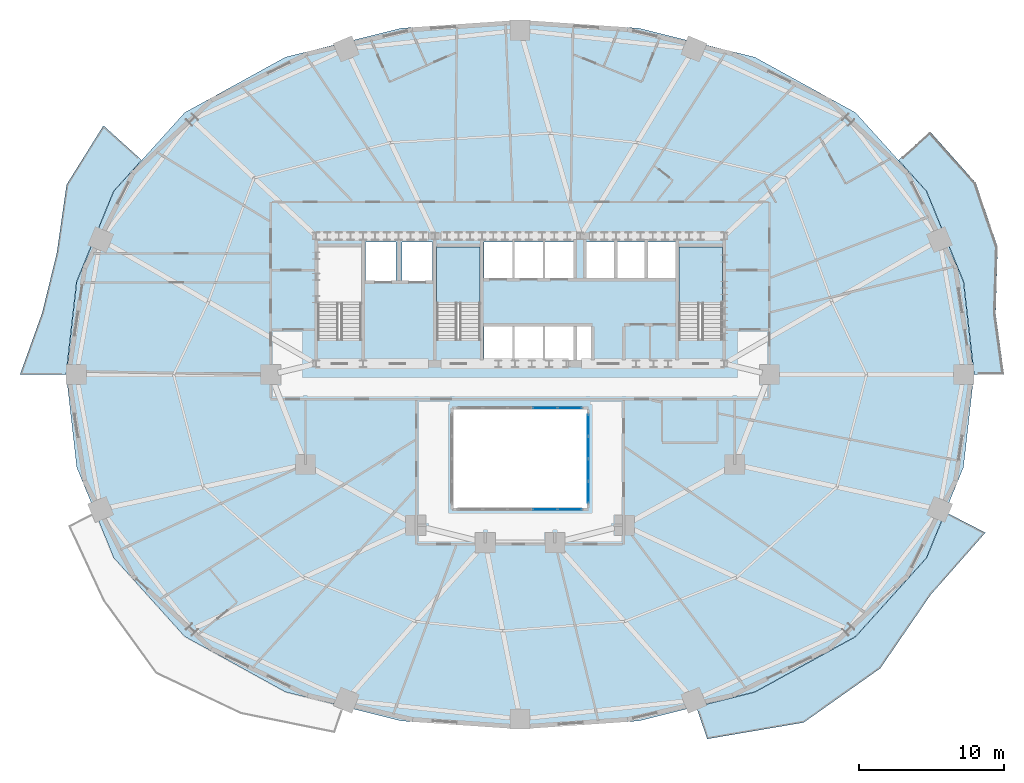
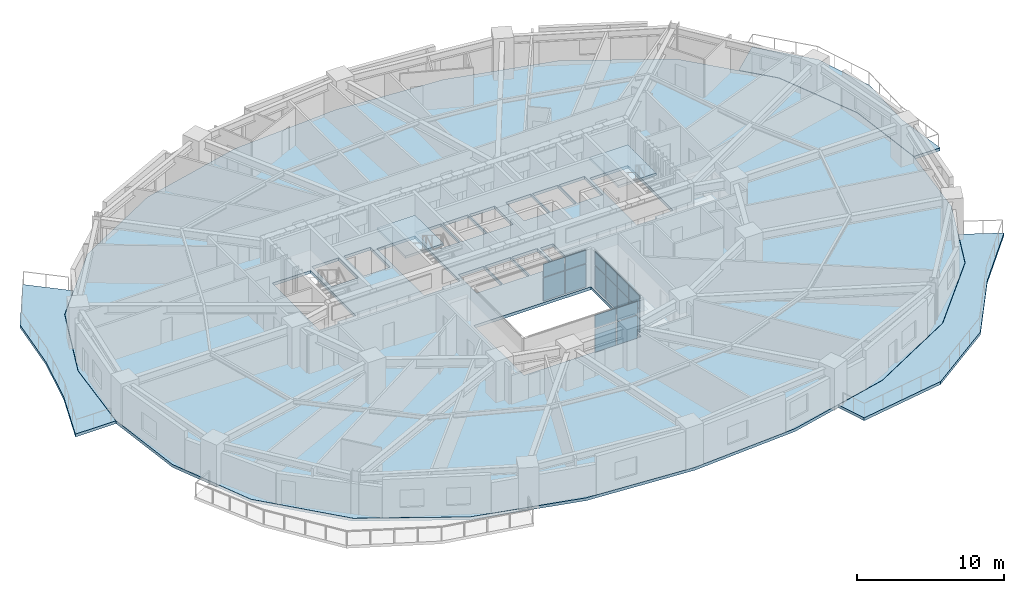
# One storey, part 7 of 16: 16 plates, 6 slabs, 5 elements without a shape of their own.
"""IFC4 building model written with IfcOpenShell, lengths in metres."""

from ifc_helpers import new_model, si_unit, direction, frame, origin, origin_2d, place, context, subcontext, project, spatial, polyline, rectangle, outline, extrude, material, layer, layer_set, type_object, element, aggregate, save


model = new_model("IFC4")

# Units and contexts
model_context = context("Model", 3, precision=1e-05, world=origin(), true_north=direction((0.0, 1.0)))
body_context = subcontext(model_context, "Body", "Model", "MODEL_VIEW")
ifc_project = project(units=[si_unit("LENGTHUNIT", "METRE"), si_unit("AREAUNIT", "SQUARE_METRE"), si_unit("VOLUMEUNIT", "CUBIC_METRE"), si_unit("PLANEANGLEUNIT", "RADIAN"), si_unit("MASSUNIT", "GRAM", prefix="KILO")], contexts=[model_context])

# Site, building, storey
site_placement = place(None, origin())
site = spatial("IfcSite", under=ifc_project, at=site_placement, CompositionType="ELEMENT")
building_placement = place(site_placement, origin())
building = spatial("IfcBuilding", under=site, at=building_placement, Name="Haldorwick Loom Tower", CompositionType="ELEMENT")
storey_placement = place(building_placement, frame((0.0, 0.0, 68.85009765625)))
storey = spatial("IfcBuildingStorey", under=building, at=storey_placement, Name="L18", CompositionType="ELEMENT", Elevation=68.85009765625)

# Curtain wall, plates
ifc_material_1 = material(Name="Thermally Broken Anodized Aluminium Curtain Wall Framing", Category="aluminium")
curtain_wall_type = type_object("IfcCurtainWallType", Name="ARC-CW-03", PredefinedType="NOTDEFINED", material=ifc_material_1)
curtain_wall_1_placement = place(storey_placement, origin())
curtain_wall_1 = element("IfcCurtainWall", 1, at=curtain_wall_1_placement, inside=storey, type_object=curtain_wall_type, Name="L18 Atrium Glazed Screen S", PredefinedType="NOTDEFINED")
ifc_material_2 = material(Name="Triple-Glazed Low-E Argon Insulated Glazing Unit", Category="glass")
ifc_layer_1 = layer(ifc_material_2, 0.04296875, Name="Triple-Glazed Low-E Argon Insulated Glazing Unit", Category="glass")
ifc_layer_set_1 = layer_set([ifc_layer_1], Name="Triple-Glazed Low-E Argon Insulated Glazing Unit")
plate_type = type_object("IfcPlateType", Name="ARC-CWP-03", PredefinedType="CURTAIN_PANEL", material=ifc_layer_set_1)
plate_1_placement = place(storey_placement, frame((39.423583984375, 16.699951171875, 0.06591796875), z_axis=(0.0, 0.0, 1.0), x_axis=(-1.0, 0.0, 0.0)))
plate_1 = element("IfcPlate", 2, at=plate_1_placement, type_object=plate_type, Name="CW-03 panel 1.1", PredefinedType="CURTAIN_PANEL", context=body_context, shape_type="SweptSolid", body=[
    extrude(rectangle(XDim=1.62109375, YDim=0.04296875, at=origin_2d()), origin(), (0.0, 0.0, 1.0), 1.90087890625),
])
plate_2_placement = place(storey_placement, frame((39.423583984375, 16.699951171875, 2.03271484375), z_axis=(0.0, 0.0, 1.0), x_axis=(-1.0, 0.0, 0.0)))
plate_2 = element("IfcPlate", 3, at=plate_2_placement, type_object=plate_type, Name="CW-03 panel 1.2", PredefinedType="CURTAIN_PANEL", context=body_context, shape_type="SweptSolid", body=[
    extrude(rectangle(XDim=1.62109375, YDim=0.04296875, at=origin_2d()), origin(), (0.0, 0.0, 1.0), 1.091064453125),
])
plate_3_placement = place(storey_placement, frame((37.719970703125, 16.699951171875, 0.06591796875), z_axis=(0.0, 0.0, 1.0), x_axis=(-1.0, 0.0, 0.0)))
plate_3 = element("IfcPlate", 4, at=plate_3_placement, type_object=plate_type, Name="CW-03 panel 2.1", PredefinedType="CURTAIN_PANEL", context=body_context, shape_type="SweptSolid", body=[
    extrude(rectangle(XDim=1.654052734375, YDim=0.04296875, at=origin_2d()), origin(), (0.0, 0.0, 1.0), 1.90087890625),
])
plate_4_placement = place(storey_placement, frame((37.719970703125, 16.699951171875, 2.03271484375), z_axis=(0.0, 0.0, 1.0), x_axis=(-1.0, 0.0, 0.0)))
plate_4 = element("IfcPlate", 5, at=plate_4_placement, type_object=plate_type, Name="CW-03 panel 2.2", PredefinedType="CURTAIN_PANEL", context=body_context, shape_type="SweptSolid", body=[
    extrude(rectangle(XDim=1.654052734375, YDim=0.04296875, at=origin_2d()), origin(), (0.0, 0.0, 1.0), 1.091064453125),
])
aggregate(curtain_wall_1, [plate_1, plate_2, plate_3, plate_4])

curtain_wall_2_placement = place(storey_placement, origin())
curtain_wall_2 = element("IfcCurtainWall", 6, at=curtain_wall_2_placement, inside=storey, type_object=curtain_wall_type, Name="L18 Atrium Glazed Screen N", PredefinedType="NOTDEFINED")
plate_5_placement = place(storey_placement, frame((37.719970703125, 23.699951171875, 0.06591796875), z_axis=(0.0, 0.0, 1.0), x_axis=(1.0, 0.0, 0.0)))
plate_5 = element("IfcPlate", 7, at=plate_5_placement, type_object=plate_type, Name="CW-03 panel 4.1", PredefinedType="CURTAIN_PANEL", context=body_context, shape_type="SweptSolid", body=[
    extrude(rectangle(XDim=1.654052734375, YDim=0.04296875, at=origin_2d()), origin(), (0.0, 0.0, 1.0), 1.90087890625),
])
plate_6_placement = place(storey_placement, frame((37.719970703125, 23.699951171875, 2.03271484375), z_axis=(0.0, 0.0, 1.0), x_axis=(1.0, 0.0, 0.0)))
plate_6 = element("IfcPlate", 8, at=plate_6_placement, type_object=plate_type, Name="CW-03 panel 4.2", PredefinedType="CURTAIN_PANEL", context=body_context, shape_type="SweptSolid", body=[
    extrude(rectangle(XDim=1.654052734375, YDim=0.04296875, at=origin_2d()), origin(), (0.0, 0.0, 1.0), 1.091064453125),
])
plate_7_placement = place(storey_placement, frame((39.423583984375, 23.699951171875, 0.06591796875), z_axis=(0.0, 0.0, 1.0), x_axis=(1.0, 0.0, 0.0)))
plate_7 = element("IfcPlate", 9, at=plate_7_placement, type_object=plate_type, Name="CW-03 panel 5.1", PredefinedType="CURTAIN_PANEL", context=body_context, shape_type="SweptSolid", body=[
    extrude(rectangle(XDim=1.62109375, YDim=0.04296875, at=origin_2d()), origin(), (0.0, 0.0, 1.0), 1.90087890625),
])
plate_8_placement = place(storey_placement, frame((39.423583984375, 23.699951171875, 2.03271484375), z_axis=(0.0, 0.0, 1.0), x_axis=(1.0, 0.0, 0.0)))
plate_8 = element("IfcPlate", 10, at=plate_8_placement, type_object=plate_type, Name="CW-03 panel 5.2", PredefinedType="CURTAIN_PANEL", context=body_context, shape_type="SweptSolid", body=[
    extrude(rectangle(XDim=1.62109375, YDim=0.04296875, at=origin_2d()), origin(), (0.0, 0.0, 1.0), 1.091064453125),
])
aggregate(curtain_wall_2, [plate_5, plate_6, plate_7, plate_8])

curtain_wall_3_placement = place(storey_placement, origin())
curtain_wall_3 = element("IfcCurtainWall", 11, at=curtain_wall_3_placement, inside=storey, type_object=curtain_wall_type, Name="L18 Atrium Glazed Screen E", PredefinedType="NOTDEFINED")
plate_9_placement = place(storey_placement, frame((40.699951171875, 22.508544921875, 0.06591796875), z_axis=(0.0, 0.0, 1.0), x_axis=(0.0, -1.0, 0.0)))
plate_9 = element("IfcPlate", 12, at=plate_9_placement, type_object=plate_type, Name="CW-03 panel 1.1", PredefinedType="CURTAIN_PANEL", context=body_context, shape_type="SweptSolid", body=[
    extrude(rectangle(XDim=1.450927734375, YDim=0.04296875, at=origin_2d()), origin(), (0.0, 0.0, 1.0), 1.90087890625),
])
plate_10_placement = place(storey_placement, frame((40.699951171875, 22.508544921875, 2.03271484375), z_axis=(0.0, 0.0, 1.0), x_axis=(0.0, -1.0, 0.0)))
plate_10 = element("IfcPlate", 13, at=plate_10_placement, type_object=plate_type, Name="CW-03 panel 1.2", PredefinedType="CURTAIN_PANEL", context=body_context, shape_type="SweptSolid", body=[
    extrude(rectangle(XDim=1.450927734375, YDim=0.04296875, at=origin_2d()), origin(), (0.0, 0.0, 1.0), 1.091064453125),
])
plate_11_placement = place(storey_placement, frame((40.699951171875, 20.97509765625, 0.06591796875), z_axis=(0.0, 0.0, 1.0), x_axis=(0.0, -1.0, 0.0)))
plate_11 = element("IfcPlate", 14, at=plate_11_placement, type_object=plate_type, Name="CW-03 panel 2.1", PredefinedType="CURTAIN_PANEL", context=body_context, shape_type="SweptSolid", body=[
    extrude(rectangle(XDim=1.48388671875, YDim=0.04296875, at=origin_2d()), origin(), (0.0, 0.0, 1.0), 1.90087890625),
])
plate_12_placement = place(storey_placement, frame((40.699951171875, 20.97509765625, 2.03271484375), z_axis=(0.0, 0.0, 1.0), x_axis=(0.0, -1.0, 0.0)))
plate_12 = element("IfcPlate", 15, at=plate_12_placement, type_object=plate_type, Name="CW-03 panel 2.2", PredefinedType="CURTAIN_PANEL", context=body_context, shape_type="SweptSolid", body=[
    extrude(rectangle(XDim=1.48388671875, YDim=0.04296875, at=origin_2d()), origin(), (0.0, 0.0, 1.0), 1.091064453125),
])
plate_13_placement = place(storey_placement, frame((40.699951171875, 19.425048828125, 0.06591796875), z_axis=(0.0, 0.0, 1.0), x_axis=(0.0, -1.0, 0.0)))
plate_13 = element("IfcPlate", 16, at=plate_13_placement, type_object=plate_type, Name="CW-03 panel 3.1", PredefinedType="CURTAIN_PANEL", context=body_context, shape_type="SweptSolid", body=[
    extrude(rectangle(XDim=1.48388671875, YDim=0.04296875, at=origin_2d()), origin(), (0.0, 0.0, 1.0), 1.90087890625),
])
plate_14_placement = place(storey_placement, frame((40.699951171875, 19.425048828125, 2.03271484375), z_axis=(0.0, 0.0, 1.0), x_axis=(0.0, -1.0, 0.0)))
plate_14 = element("IfcPlate", 17, at=plate_14_placement, type_object=plate_type, Name="CW-03 panel 3.2", PredefinedType="CURTAIN_PANEL", context=body_context, shape_type="SweptSolid", body=[
    extrude(rectangle(XDim=1.48388671875, YDim=0.04296875, at=origin_2d()), origin(), (0.0, 0.0, 1.0), 1.091064453125),
])
plate_15_placement = place(storey_placement, frame((40.699951171875, 17.8916015625, 0.06591796875), z_axis=(0.0, 0.0, 1.0), x_axis=(0.0, -1.0, 0.0)))
plate_15 = element("IfcPlate", 18, at=plate_15_placement, type_object=plate_type, Name="CW-03 panel 4.1", PredefinedType="CURTAIN_PANEL", context=body_context, shape_type="SweptSolid", body=[
    extrude(rectangle(XDim=1.450927734375, YDim=0.04296875, at=origin_2d()), origin(), (0.0, 0.0, 1.0), 1.90087890625),
])
plate_16_placement = place(storey_placement, frame((40.699951171875, 17.8916015625, 2.03271484375), z_axis=(0.0, 0.0, 1.0), x_axis=(0.0, -1.0, 0.0)))
plate_16 = element("IfcPlate", 19, at=plate_16_placement, type_object=plate_type, Name="CW-03 panel 4.2", PredefinedType="CURTAIN_PANEL", context=body_context, shape_type="SweptSolid", body=[
    extrude(rectangle(XDim=1.450927734375, YDim=0.04296875, at=origin_2d()), origin(), (0.0, 0.0, 1.0), 1.091064453125),
])
aggregate(curtain_wall_3, [plate_9, plate_10, plate_11, plate_12, plate_13, plate_14, plate_15, plate_16])

# Slabs
ifc_material_3 = material(Name="Concrete C40 (40 MPa)", Category="concrete")
ifc_layer_2 = layer(ifc_material_3, 0.239990234375, Name="Concrete C40 (40 MPa)", Category="concrete")
ifc_layer_set_2 = layer_set([ifc_layer_2], Name="Concrete C40 (40 MPa)")
slab_type_1 = type_object("IfcSlabType", Name="STR-SLB-BAL240", PredefinedType="FLOOR", material=ifc_layer_set_2)
slab_1_placement = place(storey_placement, frame((0.0, 0.0, -0.239990234375)))
element("IfcSlab", 20, at=slab_1_placement, inside=storey, type_object=slab_type_1, Name="L18 Sinusoidal Balcony Terrace BAL_SE", PredefinedType="FLOOR", context=body_context, shape_type="SweptSolid", body=[
    extrude(outline(polyline([(65.324462890625, 16.517333984375), (64.031494140625, 13.356689453125), (64.031005859375, 13.355712890625), (64.030517578125, 13.3544921875), (64.02978515625, 13.353515625), (64.02880859375, 13.3525390625), (59.13623046875, 7.92333984375), (59.13525390625, 7.922119140625), (59.1337890625, 7.921142578125), (59.13232421875, 7.92041015625), (52.18310546875, 4.09814453125), (52.18212890625, 4.097412109375), (52.180908203125, 4.096923828125), (52.1796875, 4.0966796875), (48.152587890625, 3.09130859375), (48.90283203125, 0.873046875), (55.558837890625, 2.0087890625), (60.8359375, 5.743896484375), (64.298095703125, 10.80224609375), (68.083740234375, 15.09716796875), (65.324462890625, 16.517333984375)])), origin(), (0.0, 0.0, 1.0), 0.239990234375),
])
slab_2_placement = place(storey_placement, frame((0.0, 0.0, -0.239990234375)))
element("IfcSlab", 21, at=slab_2_placement, inside=storey, type_object=slab_type_1, Name="L18 Sinusoidal Balcony Terrace BAL_WNW", PredefinedType="FLOOR", context=body_context, shape_type="SweptSolid", body=[
    extrude(outline(polyline([(4.68896484375, 26.0), (4.689208984375, 26.001708984375), (5.41552734375, 32.40087890625), (5.415771484375, 32.40234375), (5.416015625, 32.40380859375), (5.41650390625, 32.405029296875), (7.968505859375, 38.643310546875), (7.968994140625, 38.644287109375), (7.969482421875, 38.6455078125), (7.97021484375, 38.646484375), (7.97119140625, 38.6474609375), (9.901611328125, 40.789794921875), (7.270751953125, 43.16943359375), (4.729736328125, 39.09912109375), (4.054443359375, 34.3876953125), (3.037353515625, 30.230224609375), (1.515625, 26.0), (4.68896484375, 26.0)])), origin(), (0.0, 0.0, 1.0), 0.239990234375),
])
slab_3_placement = place(storey_placement, frame((0.0, 0.0, -0.239990234375)))
element("IfcSlab", 22, at=slab_3_placement, inside=storey, type_object=slab_type_1, Name="L18 Sinusoidal Balcony Terrace BAL_ENE", PredefinedType="FLOOR", context=body_context, shape_type="SweptSolid", body=[
    extrude(outline(polyline([(62.0986328125, 40.78955078125), (64.02880859375, 38.6474609375), (64.02978515625, 38.646484375), (64.030517578125, 38.6455078125), (64.031005859375, 38.644287109375), (64.031494140625, 38.643310546875), (66.58349609375, 32.405029296875), (66.583984375, 32.40380859375), (66.584228515625, 32.40234375), (66.58447265625, 32.40087890625), (67.310791015625, 26.001708984375), (67.31103515625, 26.0), (69.36767578125, 26.0), (68.79150390625, 30.195556640625), (68.92626953125, 34.795654296875), (67.42822265625, 39.202392578125), (64.275146484375, 42.747314453125), (62.0986328125, 40.78955078125)])), origin(), (0.0, 0.0, 1.0), 0.239990234375),
])

# Stair, slab
stair_type = type_object("IfcStairType", Name="STR-STR-CORE", PredefinedType="HALF_TURN_STAIR", material=ifc_material_3)
stair_1_placement = place(storey_placement, origin())
stair_1 = element("IfcStair", 23, at=stair_1_placement, inside=storey, type_object=stair_type, Name="L18 Exit Stair ST-02", PredefinedType="HALF_TURN_STAIR")
ifc_layer_3 = layer(ifc_material_3, 0.199951171875, Name="Concrete C40 (40 MPa)", Category="concrete")
ifc_layer_set_3 = layer_set([ifc_layer_3], Name="Concrete C40 (40 MPa)")
slab_type_2 = type_object("IfcSlabType", Name="STR-SLB-LAND200", PredefinedType="LANDING", material=ifc_layer_set_3)
slab_4_placement = place(storey_placement, frame((0.0, 0.0, 1.52490234375)))
slab_4 = element("IfcSlab", 24, at=slab_4_placement, type_object=slab_type_2, Name="ST-02 landing 1", PredefinedType="LANDING", context=body_context, shape_type="SweptSolid", body=[
    extrude(outline(polyline([(49.949951171875, 30.919921875), (49.949951171875, 34.800048828125), (46.949951171875, 34.800048828125), (46.949951171875, 30.919921875), (49.949951171875, 30.919921875)])), origin(), (0.0, 0.0, 1.0), 0.199951171875),
])
aggregate(stair_1, [slab_4])

stair_2_placement = place(storey_placement, origin())
stair_2 = element("IfcStair", 25, at=stair_2_placement, inside=storey, type_object=stair_type, Name="L18 Exit Stair ST-03", PredefinedType="HALF_TURN_STAIR")
slab_5_placement = place(storey_placement, frame((0.0, 0.0, 1.52490234375)))
slab_5 = element("IfcSlab", 26, at=slab_5_placement, type_object=slab_type_2, Name="ST-03 landing 1", PredefinedType="LANDING", context=body_context, shape_type="SweptSolid", body=[
    extrude(outline(polyline([(33.25, 30.919921875), (33.25, 34.800048828125), (30.25, 34.800048828125), (30.25, 30.919921875), (33.25, 30.919921875)])), origin(), (0.0, 0.0, 1.0), 0.199951171875),
])
aggregate(stair_2, [slab_5])

# Slab
ifc_layer_4 = layer(ifc_material_3, 0.239990234375, Name="Concrete C40 (40 MPa)", Category="concrete")
ifc_layer_set_4 = layer_set([ifc_layer_4], Name="Concrete C40 (40 MPa)")
slab_type_3 = type_object("IfcSlabType", Name="STR-SLB-RES240", PredefinedType="FLOOR", material=ifc_layer_set_4)
slab_6_placement = place(storey_placement, frame((0.0, 0.0, -0.239990234375)))
element("IfcSlab", 27, at=slab_6_placement, inside=storey, type_object=slab_type_3, Name="L18 Residential Structural Floor Slab", PredefinedType="FLOOR", context=body_context, shape_type="SweptSolid", body=[
    extrude(outline(polyline([(59.125244140625, 7.933349609375), (64.017578125, 13.362548828125), (66.569580078125, 19.6005859375), (67.2958984375, 26.0), (66.569580078125, 32.3994140625), (64.017578125, 38.637451171875), (59.125244140625, 44.066650390625), (52.176025390625, 47.888916015625), (44.191162109375, 49.882568359375), (36.0, 50.449951171875), (27.808837890625, 49.882568359375), (19.823974609375, 47.888916015625), (12.874755859375, 44.066650390625), (7.982421875, 38.637451171875), (5.430419921875, 32.3994140625), (4.7041015625, 26.0), (5.430419921875, 19.6005859375), (7.982421875, 13.362548828125), (12.874755859375, 7.933349609375), (19.823974609375, 4.111083984375), (27.808837890625, 2.117431640625), (36.0, 1.550048828125), (44.191162109375, 2.117431640625), (52.176025390625, 4.111083984375), (59.125244140625, 7.933349609375)]), holes=[polyline([(31.39990234375, 23.60009765625), (40.60009765625, 23.60009765625), (40.60009765625, 16.800048828125), (31.39990234375, 16.800048828125), (31.39990234375, 23.60009765625)]), polyline([(33.5, 26.85009765625), (33.5, 29.35009765625), (35.5, 29.35009765625), (35.5, 26.85009765625), (33.5, 26.85009765625)]), polyline([(22.050048828125, 28.39990234375), (22.050048828125, 34.800048828125), (25.050048828125, 34.800048828125), (25.050048828125, 28.639892578125), (23.6201171875, 28.639892578125), (23.6201171875, 28.39990234375), (22.050048828125, 28.39990234375)]), polyline([(30.25, 28.39990234375), (30.25, 34.800048828125), (33.25, 34.800048828125), (33.25, 28.639892578125), (31.820068359375, 28.639892578125), (31.820068359375, 28.39990234375), (30.25, 28.39990234375)]), polyline([(25.35009765625, 32.449951171875), (25.35009765625, 35.14990234375), (27.449951171875, 35.14990234375), (27.449951171875, 32.449951171875), (25.35009765625, 32.449951171875)]), polyline([(27.85009765625, 32.449951171875), (27.85009765625, 35.14990234375), (29.949951171875, 35.14990234375), (29.949951171875, 32.449951171875), (27.85009765625, 32.449951171875)]), polyline([(33.5, 32.64990234375), (33.5, 35.14990234375), (35.5, 35.14990234375), (35.5, 32.64990234375), (33.5, 32.64990234375)]), polyline([(35.60009765625, 32.64990234375), (35.60009765625, 35.14990234375), (37.60009765625, 35.14990234375), (37.60009765625, 32.64990234375), (35.60009765625, 32.64990234375)]), polyline([(35.60009765625, 26.85009765625), (35.60009765625, 29.35009765625), (37.60009765625, 29.35009765625), (37.60009765625, 26.85009765625), (35.60009765625, 26.85009765625)]), polyline([(37.699951171875, 26.85009765625), (37.699951171875, 29.35009765625), (39.699951171875, 29.35009765625), (39.699951171875, 26.85009765625), (37.699951171875, 26.85009765625)]), polyline([(39.89990234375, 26.89990234375), (39.89990234375, 29.300048828125), (40.89990234375, 29.300048828125), (40.89990234375, 26.89990234375), (39.89990234375, 26.89990234375)]), polyline([(46.949951171875, 28.39990234375), (46.949951171875, 34.800048828125), (49.949951171875, 34.800048828125), (49.949951171875, 28.639892578125), (48.52001953125, 28.639892578125), (48.52001953125, 28.39990234375), (46.949951171875, 28.39990234375)]), polyline([(37.699951171875, 32.64990234375), (37.699951171875, 35.14990234375), (39.699951171875, 35.14990234375), (39.699951171875, 32.64990234375), (37.699951171875, 32.64990234375)]), polyline([(40.550048828125, 32.64990234375), (40.550048828125, 35.14990234375), (42.550048828125, 35.14990234375), (42.550048828125, 32.64990234375), (40.550048828125, 32.64990234375)]), polyline([(42.64990234375, 32.64990234375), (42.64990234375, 35.14990234375), (44.64990234375, 35.14990234375), (44.64990234375, 32.64990234375), (42.64990234375, 32.64990234375)]), polyline([(44.75, 32.64990234375), (44.75, 35.14990234375), (46.75, 35.14990234375), (46.75, 32.64990234375), (44.75, 32.64990234375)])]), origin(), (0.0, 0.0, 1.0), 0.239990234375),
])

save(model, "model.ifc")
